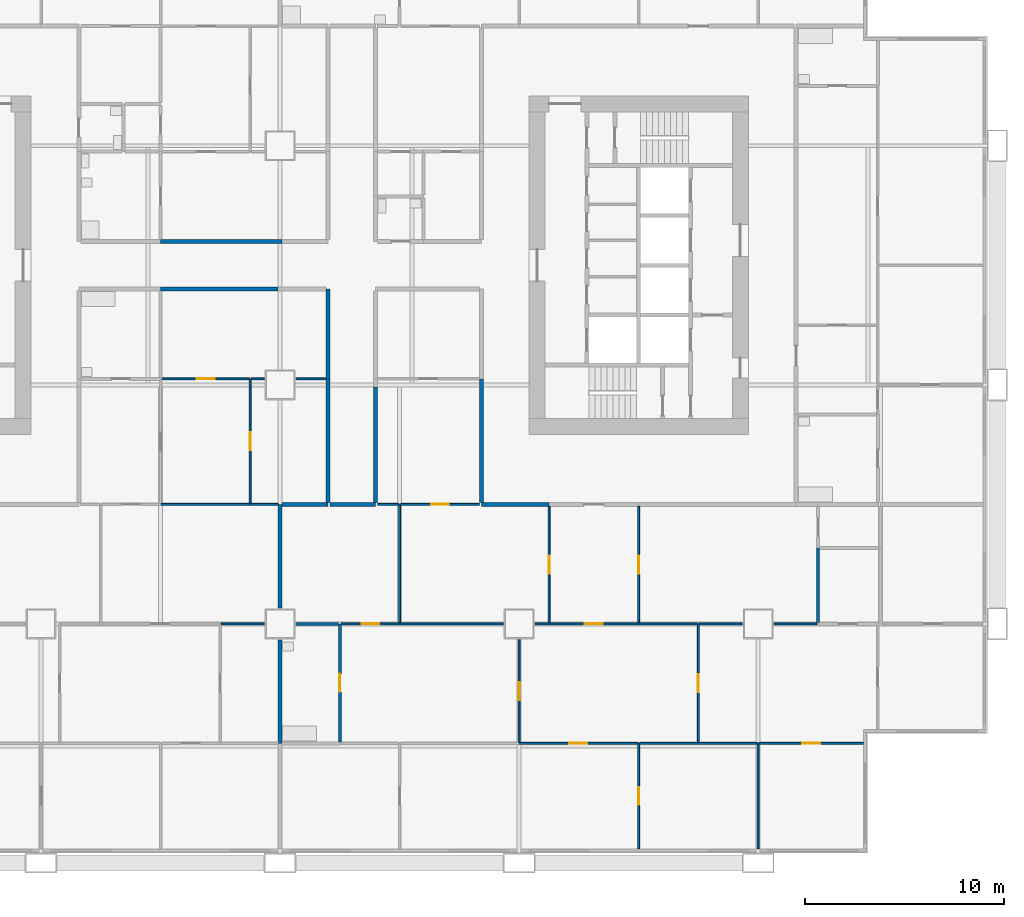
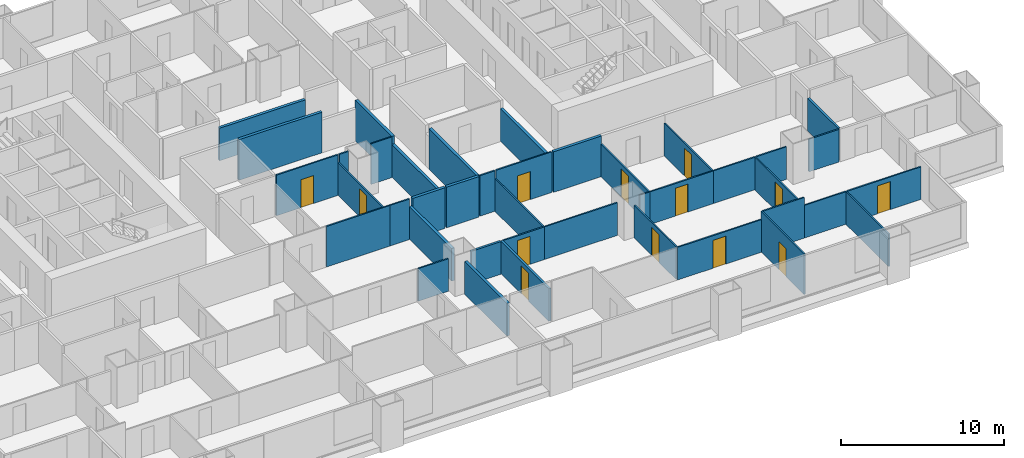
# One storey, part 5 of 13: 41 walls, 13 doors, 13 openings.
"""IFC4 building model written with IfcOpenShell, lengths in metres."""

import ifcopenshell
import ifcopenshell.guid

model = None  # the IFC model being written
_history = None  # IfcOwnerHistory: only IFC2X3 demands one
_inside = {}  # id of a spatial element -> (the spatial element, [elements in it])
_under = {}  # id of a project, library or spatial element -> (it, [spatial elements below it])
_declared = {}  # id of a project -> (the project, [libraries it declares])
_typed = {}  # id of a type object -> (the type object, [elements of that type])
_made_of = {}  # id of a material, layer set ... -> (it, [elements and type objects made of it])


def new_model(schema):
    """Start an empty IFC model of exactly this schema.

    Asked for "IFC4X3", IfcOpenShell would pick the latest addendum, in which some entities
    have other attributes; the version numbers below select the first issue.
    IFC2X3 requires an IfcOwnerHistory on every rooted entity: one is made here for all.
    """
    global model, _history
    if schema == "IFC4X3":
        model = ifcopenshell.file(schema_version=(4, 3, 0, 0))
    else:
        model = ifcopenshell.file(schema=schema)
    _inside.clear()
    _under.clear()
    _declared.clear()
    _typed.clear()
    _made_of.clear()
    _history = None
    if model.schema == "IFC2X3":
        org = make("IfcOrganization", Name="unknown")
        user = make(
            "IfcPersonAndOrganization",
            ThePerson=make("IfcPerson", FamilyName="unknown"),
            TheOrganization=org,
        )
        app = make(
            "IfcApplication",
            ApplicationDeveloper=org,
            Version="unknown",
            ApplicationFullName="unknown",
            ApplicationIdentifier="unknown",
        )
        _history = make(
            "IfcOwnerHistory",
            OwningUser=user,
            OwningApplication=app,
            ChangeAction="ADDED",
            CreationDate=0,
        )
    return model


def make(cls, **values):
    """One entity of the class cls with the attributes given. An attribute that is None is left unset."""
    return model.create_entity(
        cls, **{name: value for name, value in values.items() if value is not None}
    )


def rooted(cls, **values):
    """An entity with a GlobalId (a new one), such as an element, a storey or a relation."""
    return make(cls, GlobalId=ifcopenshell.guid.new(), OwnerHistory=_history, **values)


def si_unit(unit_type, name, prefix=None):
    """IfcSIUnit, for example si_unit("LENGTHUNIT", "METRE", prefix="MILLI")."""
    return make("IfcSIUnit", UnitType=unit_type, Prefix=prefix, Name=name)


def assignment(units):
    """IfcUnitAssignment: the units of a project."""
    return None if units is None else make("IfcUnitAssignment", Units=units)


def point(xyz):
    """IfcCartesianPoint."""
    return None if xyz is None else make("IfcCartesianPoint", Coordinates=xyz)


def direction(xyz):
    """IfcDirection."""
    return None if xyz is None else make("IfcDirection", DirectionRatios=xyz)


def frame(location, z_axis=None, x_axis=None):
    """IfcAxis2Placement3D, a coordinate frame: its origin and axes. An axis left out is left unset."""
    return make(
        "IfcAxis2Placement3D",
        Location=point(location),
        Axis=direction(z_axis),
        RefDirection=direction(x_axis),
    )


def frame_2d(location, x_axis=None):
    """IfcAxis2Placement2D, a coordinate frame in the plane: its origin and x axis."""
    return make(
        "IfcAxis2Placement2D", Location=point(location), RefDirection=direction(x_axis)
    )


def origin():
    """The frame at (0, 0, 0) with its axes left unset."""
    return frame((0.0, 0.0, 0.0))


def place(relative_to, where):
    """IfcLocalPlacement: puts the frame where relative to a parent placement (None: the world)."""
    return make(
        "IfcLocalPlacement", PlacementRelTo=relative_to, RelativePlacement=where
    )


def context(
    kind, dimensions, precision=None, world=None, true_north=None, identifier=None
):
    """IfcGeometricRepresentationContext, for example the 3D "Model" context."""
    return make(
        "IfcGeometricRepresentationContext",
        ContextIdentifier=identifier,
        ContextType=kind,
        CoordinateSpaceDimension=dimensions,
        Precision=precision,
        WorldCoordinateSystem=world,
        TrueNorth=true_north,
    )


def subcontext(parent, identifier, kind, view, scale=None):
    """IfcGeometricRepresentationSubContext, for example "Body" below "Model"."""
    return make(
        "IfcGeometricRepresentationSubContext",
        ContextIdentifier=identifier,
        ContextType=kind,
        ParentContext=parent,
        TargetScale=scale,
        TargetView=view,
    )


def project(units=None, contexts=None):
    """IfcProject with its units and contexts."""
    return rooted(
        "IfcProject",
        Name="project",
        RepresentationContexts=contexts,
        UnitsInContext=assignment(units),
    )


def spatial(cls, under=None, at=None, **own):
    """A site, building, storey or space (cls), placed at a placement, below another one or the project."""
    s = rooted(cls, ObjectPlacement=at, **own)
    if under is not None:
        _under.setdefault(under.id(), (under, []))[1].append(s)
    return s


def profile(cls, at=None, kind="AREA", **sizes):
    """A parametric profile (cls). Its sizes go by their IFC names, for example OverallWidth=200.0."""
    return make(cls, ProfileType=kind, Position=at, **sizes)


def rectangle(**sizes):
    """IfcRectangleProfileDef."""
    return profile("IfcRectangleProfileDef", **sizes)


def extrude(swept, where, along, depth):
    """IfcExtrudedAreaSolid: the profile swept, set in the frame where, extruded along a direction by depth."""
    return make(
        "IfcExtrudedAreaSolid",
        SweptArea=swept,
        Position=where,
        ExtrudedDirection=direction(along),
        Depth=depth,
    )


def shape(context_of_items, identifier, shape_type, items):
    """IfcShapeRepresentation: the items that make up one representation, for example the "Body"."""
    return make(
        "IfcShapeRepresentation",
        ContextOfItems=context_of_items,
        RepresentationIdentifier=identifier,
        RepresentationType=shape_type,
        Items=items,
    )


def material(Name=None, Category=None):
    """IfcMaterial."""
    return make("IfcMaterial", Name=Name, Category=Category)


def layer(
    of_material, thickness, ventilated=None, Name=None, Category=None, Priority=None
):
    """IfcMaterialLayer: one layer of a wall or slab, of a material (None: an air gap)."""
    return make(
        "IfcMaterialLayer",
        Material=of_material,
        LayerThickness=thickness,
        IsVentilated=ventilated,
        Name=Name,
        Category=Category,
        Priority=Priority,
    )


def layer_set(layers, Name=None):
    """IfcMaterialLayerSet."""
    return make("IfcMaterialLayerSet", MaterialLayers=layers, LayerSetName=Name)


def made_of(thing, what):
    """Note that an element or type object is made of a material, layer set ...; save() writes the relation."""
    if what is not None:
        _made_of.setdefault(what.id(), (what, []))[1].append(thing)
    return thing


def type_object(cls, material=None, **own):
    """A type object (cls), such as IfcWallType, which elements share."""
    return made_of(rooted(cls, **own), material)


def element(
    cls,
    number,
    at=None,
    inside=None,
    cuts=None,
    type_object=None,
    material=None,
    context=None,
    identifier="Body",
    shape_type=None,
    held_by="IfcProductDefinitionShape",
    body=None,
    shapes=None,
    **own,
):
    """One element of the class cls, such as IfcWall. Its Tag is "e" and its number.

    at: its placement. inside: the storey or other place that contains it. cuts: it is an
    opening in that element (IfcRelVoidsElement). A single representation is given by context,
    identifier, shape_type and body (its items); several are given by shapes. held_by: the class
    of the entity that holds the representations. save() writes the other relations.
    """
    e = rooted(cls, Tag="e%d" % number, ObjectPlacement=at, **own)
    if body is not None:
        shapes = [shape(context, identifier, shape_type, body)]
    if shapes is not None:
        e.Representation = make(held_by, Representations=shapes)
    if inside is not None:
        _inside.setdefault(inside.id(), (inside, []))[1].append(e)
    if cuts is not None:
        rooted(
            "IfcRelVoidsElement", RelatingBuildingElement=cuts, RelatedOpeningElement=e
        )
    if type_object is not None:
        _typed.setdefault(type_object.id(), (type_object, []))[1].append(e)
    return made_of(e, material)


def fill(opening, filler):
    """IfcRelFillsElement: the door or window that sits in an opening."""
    return rooted(
        "IfcRelFillsElement",
        RelatingOpeningElement=opening,
        RelatedBuildingElement=filler,
    )


def aggregate(whole, parts):
    """IfcRelAggregates: a whole, such as a stair, and the parts it consists of."""
    return rooted("IfcRelAggregates", RelatingObject=whole, RelatedObjects=parts)


def save(model, path):
    """Write the relations noted so far, then the file.

    IfcRelAggregates (storeys below a building ...), IfcRelContainedInSpatialStructure (elements
    in a storey), IfcRelDefinesByType, IfcRelAssociatesMaterial and IfcRelDeclares: one each for
    every whole, place, type object, material and project.
    """
    for whole, parts in _under.values():
        aggregate(whole, parts)
    for where, things in _inside.values():
        rooted(
            "IfcRelContainedInSpatialStructure",
            RelatedElements=things,
            RelatingStructure=where,
        )
    for kind, things in _typed.values():
        rooted("IfcRelDefinesByType", RelatedObjects=things, RelatingType=kind)
    for what, things in _made_of.values():
        rooted("IfcRelAssociatesMaterial", RelatedObjects=things, RelatingMaterial=what)
    for by, libraries in _declared.values():
        rooted("IfcRelDeclares", RelatingContext=by, RelatedDefinitions=libraries)
    model.write(path)


model = new_model("IFC4")

# Units and contexts
model_context = context("Model", 3, precision=1e-05, world=origin(), true_north=direction((0.0, 1.0)))
body_context = subcontext(model_context, "Body", "Model", "MODEL_VIEW")
ifc_project = project(units=[si_unit("LENGTHUNIT", "METRE"), si_unit("AREAUNIT", "SQUARE_METRE"), si_unit("VOLUMEUNIT", "CUBIC_METRE"), si_unit("PLANEANGLEUNIT", "RADIAN"), si_unit("MASSUNIT", "GRAM", prefix="KILO")], contexts=[model_context])

# Site, building, storey
site_placement = place(None, origin())
site = spatial("IfcSite", under=ifc_project, at=site_placement, CompositionType="ELEMENT")
building_placement = place(site_placement, origin())
building = spatial("IfcBuilding", under=site, at=building_placement, Name="Kitamizu Gate Tower and Museum", CompositionType="ELEMENT")
storey_placement = place(building_placement, frame((0.0, 0.0, 81.75)))
storey = spatial("IfcBuildingStorey", under=building, at=storey_placement, Name="L20", CompositionType="ELEMENT", Elevation=81.75)

# Walls
ifc_material_1 = material(Name="Gypsum board on galvanised stud")
ifc_layer_1 = layer(ifc_material_1, 0.10009765625)
ifc_layer_set_1 = layer_set([ifc_layer_1], Name="Gypsum board on galvanised stud")
wall_type_1 = type_object("IfcWallType", Name="Partition 100 NOT RATED", PredefinedType="PARTITIONING", material=ifc_layer_set_1)
wall_1_placement = place(storey_placement, frame((35.199951171875, 12.0, 0.0), z_axis=(0.0, 0.0, 1.0), x_axis=(-1.0, 0.0, 0.0)))
element("IfcWall", 1, at=wall_1_placement, inside=storey, type_object=wall_type_1, Name="Partition L20-026", PredefinedType="PARTITIONING", context=body_context, shape_type="SweptSolid", body=[
    extrude(rectangle(XDim=2.14990234375, YDim=0.10009765625, at=frame_2d((1.074951171875, 0.0))), origin(), (0.0, 0.0, 1.0), 2.449951171875),
])
wall_2_placement = place(storey_placement, frame((34.5, 18.0, 0.0), z_axis=(0.0, 0.0, 1.0), x_axis=(-1.0, 0.0, 0.0)))
element("IfcWall", 2, at=wall_2_placement, inside=storey, type_object=wall_type_1, Name="Partition L20-044", PredefinedType="PARTITIONING", context=body_context, shape_type="SweptSolid", body=[
    extrude(rectangle(XDim=4.5, YDim=0.10009765625, at=frame_2d((2.25, 0.0))), origin(), (0.0, 0.0, 1.0), 3.050048828125),
])
wall_3_placement = place(storey_placement, frame((35.89990234375, 18.0, 0.0), z_axis=(0.0, 0.0, 1.0), x_axis=(-1.0, 0.0, 0.0)))
element("IfcWall", 3, at=wall_3_placement, inside=storey, type_object=wall_type_1, Name="Partition L20-045", PredefinedType="PARTITIONING", context=body_context, shape_type="SweptSolid", body=[
    extrude(rectangle(XDim=1.39990234375, YDim=0.10009765625, at=frame_2d((0.699951171875, 0.0))), origin(), (0.0, 0.0, 1.0), 3.050048828125),
])

# Wall, opening, door
wall_4_placement = place(storey_placement, frame((34.5, 18.050048828125, 0.0), z_axis=(0.0, 0.0, 1.0), x_axis=(0.0, 1.0, 0.0)))
wall_4 = element("IfcWall", 4, at=wall_4_placement, inside=storey, type_object=wall_type_1, Name="Partition L20-051", PredefinedType="PARTITIONING", context=body_context, shape_type="SweptSolid", body=[
    extrude(rectangle(XDim=6.25, YDim=0.10009765625, at=frame_2d((3.125, 0.0))), origin(), (0.0, 0.0, 1.0), 2.449951171875),
])
opening_1_placement = place(wall_4_placement, frame((2.675048828125, 0.0, 0.0)))
opening_1 = element("IfcOpeningElement", 5, at=opening_1_placement, cuts=wall_4, Name="Opening L20-018", PredefinedType="OPENING", context=body_context, shape_type="SweptSolid", body=[
    extrude(rectangle(XDim=0.89990234375, YDim=2.10009765625, at=frame_2d((0.449951171875, 1.050048828125))), frame((0.0, 0.06005859375, 0.0), z_axis=(0.0, -1.0, 0.0), x_axis=(1.0, 0.0, 0.0)), (0.0, 0.0, 1.0), 0.1201171875),
])
ifc_material_2 = material(Name="Timber door set", Category="wood")
door_type_1 = type_object("IfcDoorType", Name="Room door 900", OperationType="NOTDEFINED", PredefinedType="DOOR", material=ifc_material_2)
door_1_placement = place(opening_1_placement, frame((0.89990234375, 0.0, 0.0), x_axis=(-1.0, 0.0, 0.0)))
door_1 = element("IfcDoor", 6, at=door_1_placement, inside=storey, type_object=door_type_1, Name="Door L20-018", OperationType="SINGLE_SWING_LEFT", OverallHeight=2.10009765625, OverallWidth=0.89990234375, PredefinedType="DOOR", context=body_context, shape_type="SweptSolid", body=[
    extrude(rectangle(XDim=0.89990234375, YDim=2.10009765625, at=frame_2d((0.449951171875, 1.050048828125))), frame((0.0, 0.02490234375, 0.0), z_axis=(0.0, -1.0, 0.0), x_axis=(1.0, 0.0, 0.0)), (0.0, 0.0, 1.0), 0.050048828125),
])
fill(opening_1, door_1)

wall_5_placement = place(storey_placement, frame((34.449951171875, 24.300048828125, 0.0), z_axis=(0.0, 0.0, 1.0), x_axis=(-1.0, 0.0, 0.0)))
wall_5 = element("IfcWall", 7, at=wall_5_placement, inside=storey, type_object=wall_type_1, Name="Partition L20-052", PredefinedType="PARTITIONING", context=body_context, shape_type="SweptSolid", body=[
    extrude(rectangle(XDim=4.375, YDim=0.10009765625, at=frame_2d((2.1875, 0.0))), origin(), (0.0, 0.0, 1.0), 3.050048828125),
])
opening_2_placement = place(wall_5_placement, frame((1.737548828125, 0.0, 0.0)))
opening_2 = element("IfcOpeningElement", 8, at=opening_2_placement, cuts=wall_5, Name="Opening L20-020", PredefinedType="OPENING", context=body_context, shape_type="SweptSolid", body=[
    extrude(rectangle(XDim=0.89990234375, YDim=2.10009765625, at=frame_2d((0.449951171875, 1.050048828125))), frame((0.0, 0.06005859375, 0.0), z_axis=(0.0, -1.0, 0.0), x_axis=(1.0, 0.0, 0.0)), (0.0, 0.0, 1.0), 0.1201171875),
])
door_2_placement = place(opening_2_placement, origin())
door_2 = element("IfcDoor", 9, at=door_2_placement, inside=storey, type_object=door_type_1, Name="Door L20-020", OperationType="SINGLE_SWING_RIGHT", OverallHeight=2.10009765625, OverallWidth=0.89990234375, PredefinedType="DOOR", context=body_context, shape_type="SweptSolid", body=[
    extrude(rectangle(XDim=0.89990234375, YDim=2.10009765625, at=frame_2d((0.449951171875, 1.050048828125))), frame((0.0, 0.02490234375, 0.0), z_axis=(0.0, -1.0, 0.0), x_axis=(1.0, 0.0, 0.0)), (0.0, 0.0, 1.0), 0.050048828125),
])
fill(opening_2, door_2)

# Walls
wall_6_placement = place(storey_placement, frame((35.199951171875, 24.300048828125, 0.0), z_axis=(0.0, 0.0, 1.0), x_axis=(-1.0, 0.0, 0.0)))
element("IfcWall", 10, at=wall_6_placement, inside=storey, type_object=wall_type_1, Name="Partition L20-053", PredefinedType="PARTITIONING", context=body_context, shape_type="SweptSolid", body=[
    extrude(rectangle(XDim=0.64990234375, YDim=0.10009765625, at=frame_2d((0.324951171875, 0.0))), origin(), (0.0, 0.0, 1.0), 3.050048828125),
])
wall_7_placement = place(storey_placement, frame((38.300048828125, 24.300048828125, 0.0), z_axis=(0.0, 0.0, 1.0), x_axis=(-1.0, 0.0, 0.0)))
element("IfcWall", 11, at=wall_7_placement, inside=storey, type_object=wall_type_1, Name="Partition L20-054", PredefinedType="PARTITIONING", context=body_context, shape_type="SweptSolid", body=[
    extrude(rectangle(XDim=1.5, YDim=0.10009765625, at=frame_2d((0.75, 0.0))), origin(), (0.0, 0.0, 1.0), 3.050048828125),
])

# Wall, opening, door
wall_8_placement = place(storey_placement, frame((54.0, 0.719970703125, 0.0), z_axis=(0.0, 0.0, 1.0), x_axis=(0.0, 1.0, 0.0)))
wall_8 = element("IfcWall", 12, at=wall_8_placement, inside=storey, type_object=wall_type_1, Name="Partition L20-124", PredefinedType="PARTITIONING", context=body_context, shape_type="SweptSolid", body=[
    extrude(rectangle(XDim=5.280029296875, YDim=0.10009765625, at=frame_2d((2.64013671875, 0.0))), origin(), (0.0, 0.0, 1.0), 3.050048828125),
])
opening_3_placement = place(wall_8_placement, frame((2.18994140625, 0.0, 0.0)))
opening_3 = element("IfcOpeningElement", 13, at=opening_3_placement, cuts=wall_8, Name="Opening L20-049", PredefinedType="OPENING", context=body_context, shape_type="SweptSolid", body=[
    extrude(rectangle(XDim=0.89990234375, YDim=2.10009765625, at=frame_2d((0.449951171875, 1.050048828125))), frame((0.0, 0.06005859375, 0.0), z_axis=(0.0, -1.0, 0.0), x_axis=(1.0, 0.0, 0.0)), (0.0, 0.0, 1.0), 0.1201171875),
])
door_3_placement = place(opening_3_placement, frame((0.89990234375, 0.0, 0.0), x_axis=(-1.0, 0.0, 0.0)))
door_3 = element("IfcDoor", 14, at=door_3_placement, inside=storey, type_object=door_type_1, Name="Door L20-049", OperationType="SINGLE_SWING_LEFT", OverallHeight=2.10009765625, OverallWidth=0.89990234375, PredefinedType="DOOR", context=body_context, shape_type="SweptSolid", body=[
    extrude(rectangle(XDim=0.89990234375, YDim=2.10009765625, at=frame_2d((0.449951171875, 1.050048828125))), frame((0.0, 0.02490234375, 0.0), z_axis=(0.0, -1.0, 0.0), x_axis=(1.0, 0.0, 0.0)), (0.0, 0.0, 1.0), 0.050048828125),
])
fill(opening_3, door_3)

wall_9_placement = place(storey_placement, frame((53.949951171875, 6.0, 0.0), z_axis=(0.0, 0.0, 1.0), x_axis=(-1.0, 0.0, 0.0)))
wall_9 = element("IfcWall", 15, at=wall_9_placement, inside=storey, type_object=wall_type_1, Name="Partition L20-126", PredefinedType="PARTITIONING", context=body_context, shape_type="SweptSolid", body=[
    extrude(rectangle(XDim=5.949951171875, YDim=0.10009765625, at=frame_2d((2.97509765625, 0.0))), origin(), (0.0, 0.0, 1.0), 2.449951171875),
])
opening_4_placement = place(wall_9_placement, frame((2.52490234375, 0.0, 0.0)))
opening_4 = element("IfcOpeningElement", 16, at=opening_4_placement, cuts=wall_9, Name="Opening L20-043", PredefinedType="OPENING", context=body_context, shape_type="SweptSolid", body=[
    extrude(rectangle(XDim=0.89990234375, YDim=2.10009765625, at=frame_2d((0.449951171875, 1.050048828125))), frame((0.0, 0.06005859375, 0.0), z_axis=(0.0, -1.0, 0.0), x_axis=(1.0, 0.0, 0.0)), (0.0, 0.0, 1.0), 0.1201171875),
])
door_4_placement = place(opening_4_placement, frame((0.89990234375, 0.0, 0.0), x_axis=(-1.0, 0.0, 0.0)))
door_4 = element("IfcDoor", 17, at=door_4_placement, inside=storey, type_object=door_type_1, Name="Door L20-043", OperationType="SINGLE_SWING_LEFT", OverallHeight=2.10009765625, OverallWidth=0.89990234375, PredefinedType="DOOR", context=body_context, shape_type="SweptSolid", body=[
    extrude(rectangle(XDim=0.89990234375, YDim=2.10009765625, at=frame_2d((0.449951171875, 1.050048828125))), frame((0.0, 0.02490234375, 0.0), z_axis=(0.0, -1.0, 0.0), x_axis=(1.0, 0.0, 0.0)), (0.0, 0.0, 1.0), 0.050048828125),
])
fill(opening_4, door_4)

# Walls
wall_10_placement = place(storey_placement, frame((60.0, 0.719970703125, 0.0), z_axis=(0.0, 0.0, 1.0), x_axis=(0.0, 1.0, 0.0)))
element("IfcWall", 18, at=wall_10_placement, inside=storey, type_object=wall_type_1, Name="Partition L20-127", PredefinedType="PARTITIONING", context=body_context, shape_type="SweptSolid", body=[
    extrude(rectangle(XDim=5.280029296875, YDim=0.10009765625, at=frame_2d((2.64013671875, 0.0))), origin(), (0.0, 0.0, 1.0), 2.449951171875),
])
wall_11_placement = place(storey_placement, frame((57.0, 6.0, 0.0), z_axis=(0.0, 0.0, 1.0), x_axis=(-1.0, 0.0, 0.0)))
element("IfcWall", 19, at=wall_11_placement, inside=storey, type_object=wall_type_1, Name="Partition L20-128", PredefinedType="PARTITIONING", context=body_context, shape_type="SweptSolid", body=[
    extrude(rectangle(XDim=2.949951171875, YDim=0.10009765625, at=frame_2d((1.47509765625, 0.0))), origin(), (0.0, 0.0, 1.0), 3.050048828125),
])
wall_12_placement = place(storey_placement, frame((59.949951171875, 6.0, 0.0), z_axis=(0.0, 0.0, 1.0), x_axis=(-1.0, 0.0, 0.0)))
element("IfcWall", 20, at=wall_12_placement, inside=storey, type_object=wall_type_1, Name="Partition L20-129", PredefinedType="PARTITIONING", context=body_context, shape_type="SweptSolid", body=[
    extrude(rectangle(XDim=2.949951171875, YDim=0.10009765625, at=frame_2d((1.47509765625, 0.0))), origin(), (0.0, 0.0, 1.0), 2.449951171875),
])

# Wall, opening, door
wall_13_placement = place(storey_placement, frame((65.280029296875, 6.0, 0.0), z_axis=(0.0, 0.0, 1.0), x_axis=(-1.0, 0.0, 0.0)))
wall_13 = element("IfcWall", 21, at=wall_13_placement, inside=storey, type_object=wall_type_1, Name="Partition L20-130", PredefinedType="PARTITIONING", context=body_context, shape_type="SweptSolid", body=[
    extrude(rectangle(XDim=5.22998046875, YDim=0.10009765625, at=frame_2d((2.614990234375, 0.0))), origin(), (0.0, 0.0, 1.0), 2.449951171875),
])
opening_5_placement = place(wall_13_placement, frame((2.1650390625, 0.0, 0.0)))
opening_5 = element("IfcOpeningElement", 22, at=opening_5_placement, cuts=wall_13, Name="Opening L20-046", PredefinedType="OPENING", context=body_context, shape_type="SweptSolid", body=[
    extrude(rectangle(XDim=0.89990234375, YDim=2.10009765625, at=frame_2d((0.449951171875, 1.050048828125))), frame((0.0, 0.06005859375, 0.0), z_axis=(0.0, -1.0, 0.0), x_axis=(1.0, 0.0, 0.0)), (0.0, 0.0, 1.0), 0.1201171875),
])
door_5_placement = place(opening_5_placement, origin())
door_5 = element("IfcDoor", 23, at=door_5_placement, inside=storey, type_object=door_type_1, Name="Door L20-046", OperationType="SINGLE_SWING_LEFT", OverallHeight=2.10009765625, OverallWidth=0.89990234375, PredefinedType="DOOR", context=body_context, shape_type="SweptSolid", body=[
    extrude(rectangle(XDim=0.89990234375, YDim=2.10009765625, at=frame_2d((0.449951171875, 1.050048828125))), frame((0.0, 0.02490234375, 0.0), z_axis=(0.0, -1.0, 0.0), x_axis=(1.0, 0.0, 0.0)), (0.0, 0.0, 1.0), 0.050048828125),
])
fill(opening_5, door_5)

wall_14_placement = place(storey_placement, frame((48.0, 6.050048828125, 0.0), z_axis=(0.0, 0.0, 1.0), x_axis=(0.0, 1.0, 0.0)))
wall_14 = element("IfcWall", 24, at=wall_14_placement, inside=storey, type_object=wall_type_1, Name="Partition L20-133", PredefinedType="PARTITIONING", context=body_context, shape_type="SweptSolid", body=[
    extrude(rectangle(XDim=5.14990234375, YDim=0.10009765625, at=frame_2d((2.574951171875, 0.0))), origin(), (0.0, 0.0, 1.0), 2.449951171875),
])
opening_6_placement = place(wall_14_placement, frame((2.125, 0.0, 0.0)))
opening_6 = element("IfcOpeningElement", 25, at=opening_6_placement, cuts=wall_14, Name="Opening L20-044", PredefinedType="OPENING", context=body_context, shape_type="SweptSolid", body=[
    extrude(rectangle(XDim=0.89990234375, YDim=2.10009765625, at=frame_2d((0.449951171875, 1.050048828125))), frame((0.0, 0.06005859375, 0.0), z_axis=(0.0, -1.0, 0.0), x_axis=(1.0, 0.0, 0.0)), (0.0, 0.0, 1.0), 0.1201171875),
])
door_6_placement = place(opening_6_placement, frame((0.89990234375, 0.0, 0.0), x_axis=(-1.0, 0.0, 0.0)))
door_6 = element("IfcDoor", 26, at=door_6_placement, inside=storey, type_object=door_type_1, Name="Door L20-044", OperationType="SINGLE_SWING_RIGHT", OverallHeight=2.10009765625, OverallWidth=0.89990234375, PredefinedType="DOOR", context=body_context, shape_type="SweptSolid", body=[
    extrude(rectangle(XDim=0.89990234375, YDim=2.10009765625, at=frame_2d((0.449951171875, 1.050048828125))), frame((0.0, 0.02490234375, 0.0), z_axis=(0.0, -1.0, 0.0), x_axis=(1.0, 0.0, 0.0)), (0.0, 0.0, 1.0), 0.050048828125),
])
fill(opening_6, door_6)

wall_15_placement = place(storey_placement, frame((42.0, 12.0, 0.0), z_axis=(0.0, 0.0, 1.0), x_axis=(-1.0, 0.0, 0.0)))
wall_15 = element("IfcWall", 27, at=wall_15_placement, inside=storey, type_object=wall_type_1, Name="Partition L20-134", PredefinedType="PARTITIONING", context=body_context, shape_type="SweptSolid", body=[
    extrude(rectangle(XDim=2.925048828125, YDim=0.10009765625, at=frame_2d((1.46240234375, 0.0))), origin(), (0.0, 0.0, 1.0), 2.449951171875),
])
opening_7_placement = place(wall_15_placement, frame((1.012451171875, 0.0, 0.0)))
opening_7 = element("IfcOpeningElement", 28, at=opening_7_placement, cuts=wall_15, Name="Opening L20-051", PredefinedType="OPENING", context=body_context, shape_type="SweptSolid", body=[
    extrude(rectangle(XDim=0.89990234375, YDim=2.10009765625, at=frame_2d((0.449951171875, 1.050048828125))), frame((0.0, 0.06005859375, 0.0), z_axis=(0.0, -1.0, 0.0), x_axis=(1.0, 0.0, 0.0)), (0.0, 0.0, 1.0), 0.1201171875),
])
door_7_placement = place(opening_7_placement, frame((0.89990234375, 0.0, 0.0), x_axis=(-1.0, 0.0, 0.0)))
door_7 = element("IfcDoor", 29, at=door_7_placement, inside=storey, type_object=door_type_1, Name="Door L20-051", OperationType="SINGLE_SWING_LEFT", OverallHeight=2.10009765625, OverallWidth=0.89990234375, PredefinedType="DOOR", context=body_context, shape_type="SweptSolid", body=[
    extrude(rectangle(XDim=0.89990234375, YDim=2.10009765625, at=frame_2d((0.449951171875, 1.050048828125))), frame((0.0, 0.02490234375, 0.0), z_axis=(0.0, -1.0, 0.0), x_axis=(1.0, 0.0, 0.0)), (0.0, 0.0, 1.0), 0.050048828125),
])
fill(opening_7, door_7)

# Wall
wall_16_placement = place(storey_placement, frame((47.199951171875, 12.0, 0.0), z_axis=(0.0, 0.0, 1.0), x_axis=(-1.0, 0.0, 0.0)))
element("IfcWall", 30, at=wall_16_placement, inside=storey, type_object=wall_type_1, Name="Partition L20-135", PredefinedType="PARTITIONING", context=body_context, shape_type="SweptSolid", body=[
    extrude(rectangle(XDim=5.199951171875, YDim=0.10009765625, at=frame_2d((2.60009765625, 0.0))), origin(), (0.0, 0.0, 1.0), 2.449951171875),
])

# Wall, opening, door
wall_17_placement = place(storey_placement, frame((57.0, 6.050048828125, 0.0), z_axis=(0.0, 0.0, 1.0), x_axis=(0.0, 1.0, 0.0)))
wall_17 = element("IfcWall", 31, at=wall_17_placement, inside=storey, type_object=wall_type_1, Name="Partition L20-136", PredefinedType="PARTITIONING", context=body_context, shape_type="SweptSolid", body=[
    extrude(rectangle(XDim=5.949951171875, YDim=0.10009765625, at=frame_2d((2.97509765625, 0.0))), origin(), (0.0, 0.0, 1.0), 2.449951171875),
])
opening_8_placement = place(wall_17_placement, frame((2.52490234375, 0.0, 0.0)))
opening_8 = element("IfcOpeningElement", 32, at=opening_8_placement, cuts=wall_17, Name="Opening L20-045", PredefinedType="OPENING", context=body_context, shape_type="SweptSolid", body=[
    extrude(rectangle(XDim=0.89990234375, YDim=2.10009765625, at=frame_2d((0.449951171875, 1.050048828125))), frame((0.0, 0.06005859375, 0.0), z_axis=(0.0, -1.0, 0.0), x_axis=(1.0, 0.0, 0.0)), (0.0, 0.0, 1.0), 0.1201171875),
])
door_8_placement = place(opening_8_placement, frame((0.89990234375, 0.0, 0.0), x_axis=(-1.0, 0.0, 0.0)))
door_8 = element("IfcDoor", 33, at=door_8_placement, inside=storey, type_object=door_type_1, Name="Door L20-045", OperationType="SINGLE_SWING_LEFT", OverallHeight=2.10009765625, OverallWidth=0.89990234375, PredefinedType="DOOR", context=body_context, shape_type="SweptSolid", body=[
    extrude(rectangle(XDim=0.89990234375, YDim=2.10009765625, at=frame_2d((0.449951171875, 1.050048828125))), frame((0.0, 0.02490234375, 0.0), z_axis=(0.0, -1.0, 0.0), x_axis=(1.0, 0.0, 0.0)), (0.0, 0.0, 1.0), 0.050048828125),
])
fill(opening_8, door_8)

# Wall
wall_18_placement = place(storey_placement, frame((49.5, 12.0, 0.0), z_axis=(0.0, 0.0, 1.0), x_axis=(-1.0, 0.0, 0.0)))
element("IfcWall", 34, at=wall_18_placement, inside=storey, type_object=wall_type_1, Name="Partition L20-137", PredefinedType="PARTITIONING", context=body_context, shape_type="SweptSolid", body=[
    extrude(rectangle(XDim=0.699951171875, YDim=0.10009765625, at=frame_2d((0.35009765625, 0.0))), origin(), (0.0, 0.0, 1.0), 2.449951171875),
])

# Wall, opening, door
wall_19_placement = place(storey_placement, frame((54.0, 12.0, 0.0), z_axis=(0.0, 0.0, 1.0), x_axis=(-1.0, 0.0, 0.0)))
wall_19 = element("IfcWall", 35, at=wall_19_placement, inside=storey, type_object=wall_type_1, Name="Partition L20-138", PredefinedType="PARTITIONING", context=body_context, shape_type="SweptSolid", body=[
    extrude(rectangle(XDim=4.5, YDim=0.10009765625, at=frame_2d((2.25, 0.0))), origin(), (0.0, 0.0, 1.0), 2.449951171875),
])
opening_9_placement = place(wall_19_placement, frame((1.800048828125, 0.0, 0.0)))
opening_9 = element("IfcOpeningElement", 36, at=opening_9_placement, cuts=wall_19, Name="Opening L20-042", PredefinedType="OPENING", context=body_context, shape_type="SweptSolid", body=[
    extrude(rectangle(XDim=0.89990234375, YDim=2.10009765625, at=frame_2d((0.449951171875, 1.050048828125))), frame((0.0, 0.06005859375, 0.0), z_axis=(0.0, -1.0, 0.0), x_axis=(1.0, 0.0, 0.0)), (0.0, 0.0, 1.0), 0.1201171875),
])
door_9_placement = place(opening_9_placement, origin())
door_9 = element("IfcDoor", 37, at=door_9_placement, inside=storey, type_object=door_type_1, Name="Door L20-042", OperationType="SINGLE_SWING_LEFT", OverallHeight=2.10009765625, OverallWidth=0.89990234375, PredefinedType="DOOR", context=body_context, shape_type="SweptSolid", body=[
    extrude(rectangle(XDim=0.89990234375, YDim=2.10009765625, at=frame_2d((0.449951171875, 1.050048828125))), frame((0.0, 0.02490234375, 0.0), z_axis=(0.0, -1.0, 0.0), x_axis=(1.0, 0.0, 0.0)), (0.0, 0.0, 1.0), 0.050048828125),
])
fill(opening_9, door_9)

# Walls
wall_20_placement = place(storey_placement, frame((56.949951171875, 12.0, 0.0), z_axis=(0.0, 0.0, 1.0), x_axis=(-1.0, 0.0, 0.0)))
element("IfcWall", 38, at=wall_20_placement, inside=storey, type_object=wall_type_1, Name="Partition L20-139", PredefinedType="PARTITIONING", context=body_context, shape_type="SweptSolid", body=[
    extrude(rectangle(XDim=2.949951171875, YDim=0.10009765625, at=frame_2d((1.47509765625, 0.0))), origin(), (0.0, 0.0, 1.0), 2.449951171875),
])
wall_21_placement = place(storey_placement, frame((59.199951171875, 12.0, 0.0), z_axis=(0.0, 0.0, 1.0), x_axis=(-1.0, 0.0, 0.0)))
element("IfcWall", 39, at=wall_21_placement, inside=storey, type_object=wall_type_1, Name="Partition L20-141", PredefinedType="PARTITIONING", context=body_context, shape_type="SweptSolid", body=[
    extrude(rectangle(XDim=2.14990234375, YDim=0.10009765625, at=frame_2d((1.074951171875, 0.0))), origin(), (0.0, 0.0, 1.0), 2.449951171875),
])
wall_22_placement = place(storey_placement, frame((62.925048828125, 12.0, 0.0), z_axis=(0.0, 0.0, 1.0), x_axis=(-1.0, 0.0, 0.0)))
element("IfcWall", 40, at=wall_22_placement, inside=storey, type_object=wall_type_1, Name="Partition L20-142", PredefinedType="PARTITIONING", context=body_context, shape_type="SweptSolid", body=[
    extrude(rectangle(XDim=2.125, YDim=0.10009765625, at=frame_2d((1.0625, 0.0))), origin(), (0.0, 0.0, 1.0), 2.449951171875),
])
wall_23_placement = place(storey_placement, frame((42.0, 12.050048828125, 0.0), z_axis=(0.0, 0.0, 1.0), x_axis=(0.0, 1.0, 0.0)))
element("IfcWall", 41, at=wall_23_placement, inside=storey, type_object=wall_type_1, Name="Partition L20-145", PredefinedType="PARTITIONING", context=body_context, shape_type="SweptSolid", body=[
    extrude(rectangle(XDim=5.949951171875, YDim=0.10009765625, at=frame_2d((2.97509765625, 0.0))), origin(), (0.0, 0.0, 1.0), 2.449951171875),
])
wall_24_placement = place(storey_placement, frame((41.949951171875, 18.0, 0.0), z_axis=(0.0, 0.0, 1.0), x_axis=(-1.0, 0.0, 0.0)))
element("IfcWall", 42, at=wall_24_placement, inside=storey, type_object=wall_type_1, Name="Partition L20-146", PredefinedType="PARTITIONING", context=body_context, shape_type="SweptSolid", body=[
    extrude(rectangle(XDim=1.050048828125, YDim=0.10009765625, at=frame_2d((0.52490234375, 0.0))), origin(), (0.0, 0.0, 1.0), 3.050048828125),
])

# Wall, opening, door
wall_25_placement = place(storey_placement, frame((49.5, 12.050048828125, 0.0), z_axis=(0.0, 0.0, 1.0), x_axis=(0.0, 1.0, 0.0)))
wall_25 = element("IfcWall", 43, at=wall_25_placement, inside=storey, type_object=wall_type_1, Name="Partition L20-148", PredefinedType="PARTITIONING", context=body_context, shape_type="SweptSolid", body=[
    extrude(rectangle(XDim=5.849853515625, YDim=0.10009765625, at=frame_2d((2.9248046875, 0.0))), origin(), (0.0, 0.0, 1.0), 2.449951171875),
])
opening_10_placement = place(wall_25_placement, frame((2.47509765625, 0.0, 0.0)))
opening_10 = element("IfcOpeningElement", 44, at=opening_10_placement, cuts=wall_25, Name="Opening L20-052", PredefinedType="OPENING", context=body_context, shape_type="SweptSolid", body=[
    extrude(rectangle(XDim=0.89990234375, YDim=2.10009765625, at=frame_2d((0.449951171875, 1.050048828125))), frame((0.0, 0.06005859375, 0.0), z_axis=(0.0, -1.0, 0.0), x_axis=(1.0, 0.0, 0.0)), (0.0, 0.0, 1.0), 0.1201171875),
])
door_10_placement = place(opening_10_placement, origin())
door_10 = element("IfcDoor", 45, at=door_10_placement, inside=storey, type_object=door_type_1, Name="Door L20-052", OperationType="SINGLE_SWING_RIGHT", OverallHeight=2.10009765625, OverallWidth=0.89990234375, PredefinedType="DOOR", context=body_context, shape_type="SweptSolid", body=[
    extrude(rectangle(XDim=0.89990234375, YDim=2.10009765625, at=frame_2d((0.449951171875, 1.050048828125))), frame((0.0, 0.02490234375, 0.0), z_axis=(0.0, -1.0, 0.0), x_axis=(1.0, 0.0, 0.0)), (0.0, 0.0, 1.0), 0.050048828125),
])
fill(opening_10, door_10)

wall_26_placement = place(storey_placement, frame((46.0, 18.0, 0.0), z_axis=(0.0, 0.0, 1.0), x_axis=(-1.0, 0.0, 0.0)))
wall_26 = element("IfcWall", 46, at=wall_26_placement, inside=storey, type_object=wall_type_1, Name="Partition L20-149", PredefinedType="PARTITIONING", context=body_context, shape_type="SweptSolid", body=[
    extrude(rectangle(XDim=3.949951171875, YDim=0.10009765625, at=frame_2d((1.97509765625, 0.0))), origin(), (0.0, 0.0, 1.0), 3.050048828125),
])
opening_11_placement = place(wall_26_placement, frame((1.52490234375, 0.0, 0.0)))
opening_11 = element("IfcOpeningElement", 47, at=opening_11_placement, cuts=wall_26, Name="Opening L20-057", PredefinedType="OPENING", context=body_context, shape_type="SweptSolid", body=[
    extrude(rectangle(XDim=0.89990234375, YDim=2.10009765625, at=frame_2d((0.449951171875, 1.050048828125))), frame((0.0, 0.06005859375, 0.0), z_axis=(0.0, -1.0, 0.0), x_axis=(1.0, 0.0, 0.0)), (0.0, 0.0, 1.0), 0.1201171875),
])
door_11_placement = place(opening_11_placement, frame((0.89990234375, 0.0, 0.0), x_axis=(-1.0, 0.0, 0.0)))
door_11 = element("IfcDoor", 48, at=door_11_placement, inside=storey, type_object=door_type_1, Name="Door L20-057", OperationType="SINGLE_SWING_RIGHT", OverallHeight=2.10009765625, OverallWidth=0.89990234375, PredefinedType="DOOR", context=body_context, shape_type="SweptSolid", body=[
    extrude(rectangle(XDim=0.89990234375, YDim=2.10009765625, at=frame_2d((0.449951171875, 1.050048828125))), frame((0.0, 0.02490234375, 0.0), z_axis=(0.0, -1.0, 0.0), x_axis=(1.0, 0.0, 0.0)), (0.0, 0.0, 1.0), 0.050048828125),
])
fill(opening_11, door_11)

wall_27_placement = place(storey_placement, frame((54.0, 12.050048828125, 0.0), z_axis=(0.0, 0.0, 1.0), x_axis=(0.0, 1.0, 0.0)))
wall_27 = element("IfcWall", 49, at=wall_27_placement, inside=storey, type_object=wall_type_1, Name="Partition L20-151", PredefinedType="PARTITIONING", context=body_context, shape_type="SweptSolid", body=[
    extrude(rectangle(XDim=5.849853515625, YDim=0.10009765625, at=frame_2d((2.9248046875, 0.0))), origin(), (0.0, 0.0, 1.0), 2.449951171875),
])
opening_12_placement = place(wall_27_placement, frame((2.47509765625, 0.0, 0.0)))
opening_12 = element("IfcOpeningElement", 50, at=opening_12_placement, cuts=wall_27, Name="Opening L20-053", PredefinedType="OPENING", context=body_context, shape_type="SweptSolid", body=[
    extrude(rectangle(XDim=0.89990234375, YDim=2.10009765625, at=frame_2d((0.449951171875, 1.050048828125))), frame((0.0, 0.06005859375, 0.0), z_axis=(0.0, -1.0, 0.0), x_axis=(1.0, 0.0, 0.0)), (0.0, 0.0, 1.0), 0.1201171875),
])
door_12_placement = place(opening_12_placement, frame((0.89990234375, 0.0, 0.0), x_axis=(-1.0, 0.0, 0.0)))
door_12 = element("IfcDoor", 51, at=door_12_placement, inside=storey, type_object=door_type_1, Name="Door L20-053", OperationType="SINGLE_SWING_RIGHT", OverallHeight=2.10009765625, OverallWidth=0.89990234375, PredefinedType="DOOR", context=body_context, shape_type="SweptSolid", body=[
    extrude(rectangle(XDim=0.89990234375, YDim=2.10009765625, at=frame_2d((0.449951171875, 1.050048828125))), frame((0.0, 0.02490234375, 0.0), z_axis=(0.0, -1.0, 0.0), x_axis=(1.0, 0.0, 0.0)), (0.0, 0.0, 1.0), 0.050048828125),
])
fill(opening_12, door_12)

ifc_material_3 = material(Name="Gypsum board on galvanised stud")
ifc_layer_2 = layer(ifc_material_3, 0.14990234375)
ifc_layer_set_2 = layer_set([ifc_layer_2], Name="Gypsum board on galvanised stud")
wall_type_2 = type_object("IfcWallType", Name="Partition 150", PredefinedType="PARTITIONING", material=ifc_layer_set_2)
wall_28_placement = place(storey_placement, frame((39.0, 6.074951171875, 0.0), z_axis=(0.0, 0.0, 1.0), x_axis=(0.0, 1.0, 0.0)))
wall_28 = element("IfcWall", 52, at=wall_28_placement, inside=storey, type_object=wall_type_2, Name="Partition L20-131", PredefinedType="PARTITIONING", context=body_context, shape_type="SweptSolid", body=[
    extrude(rectangle(XDim=5.925048828125, YDim=0.14990234375, at=frame_2d((2.96240234375, 0.0))), origin(), (0.0, 0.0, 1.0), 2.449951171875),
])
opening_13_placement = place(wall_28_placement, frame((2.512451171875, 0.0, 0.0)))
opening_13 = element("IfcOpeningElement", 53, at=opening_13_placement, cuts=wall_28, Name="Opening L20-050", PredefinedType="OPENING", context=body_context, shape_type="SweptSolid", body=[
    extrude(rectangle(XDim=0.89990234375, YDim=2.10009765625, at=frame_2d((0.449951171875, 1.050048828125))), frame((0.0, 0.0849609375, 0.0), z_axis=(0.0, -1.0, 0.0), x_axis=(1.0, 0.0, 0.0)), (0.0, 0.0, 1.0), 0.169921875),
])
ifc_material_4 = material(Name="Timber door set", Category="wood")
door_type_2 = type_object("IfcDoorType", Name="Bathroom door 900", OperationType="NOTDEFINED", PredefinedType="DOOR", material=ifc_material_4)
door_13_placement = place(opening_13_placement, origin())
door_13 = element("IfcDoor", 54, at=door_13_placement, inside=storey, type_object=door_type_2, Name="Bathroom door L20-050", OperationType="SINGLE_SWING_LEFT", OverallHeight=2.10009765625, OverallWidth=0.89990234375, PredefinedType="DOOR", context=body_context, shape_type="SweptSolid", body=[
    extrude(rectangle(XDim=0.89990234375, YDim=2.10009765625, at=frame_2d((0.449951171875, 1.050048828125))), frame((0.0, 0.02490234375, 0.0), z_axis=(0.0, -1.0, 0.0), x_axis=(1.0, 0.0, 0.0)), (0.0, 0.0, 1.0), 0.050048828125),
])
fill(opening_13, door_13)

# Walls
wall_29_placement = place(storey_placement, frame((38.925048828125, 12.0, 0.0), z_axis=(0.0, 0.0, 1.0), x_axis=(-1.0, 0.0, 0.0)))
element("IfcWall", 55, at=wall_29_placement, inside=storey, type_object=wall_type_2, Name="Partition L20-132", PredefinedType="PARTITIONING", context=body_context, shape_type="SweptSolid", body=[
    extrude(rectangle(XDim=2.125, YDim=0.14990234375, at=frame_2d((1.0625, 0.0))), origin(), (0.0, 0.0, 1.0), 2.449951171875),
])
wall_30_placement = place(storey_placement, frame((63.0, 12.074951171875, 0.0), z_axis=(0.0, 0.0, 1.0), x_axis=(0.0, 1.0, 0.0)))
element("IfcWall", 56, at=wall_30_placement, inside=storey, type_object=wall_type_2, Name="Partition L20-153", PredefinedType="PARTITIONING", context=body_context, shape_type="SweptSolid", body=[
    extrude(rectangle(XDim=3.739013671875, YDim=0.14990234375, at=frame_2d((1.86962890625, 0.0))), origin(), (0.0, 0.0, 1.0), 2.449951171875),
])
ifc_material_5 = material(Name="Gypsum board on galvanised stud")
ifc_layer_3 = layer(ifc_material_5, 0.199951171875)
ifc_layer_set_3 = layer_set([ifc_layer_3], Name="Gypsum board on galvanised stud")
wall_type_3 = type_object("IfcWallType", Name="Partition 200", PredefinedType="PARTITIONING", material=ifc_layer_set_3)
for number, where, z_axis, x_axis, name in (
    (57, (36.0, 6.0, 0.0), (0.0, 0.0, 1.0), (0.0, 1.0, 0.0), "Partition L20-027"),
    (58, (36.0, 12.800048828125, 0.0), (0.0, 0.0, 1.0), (0.0, 1.0, 0.0), "Partition L20-046"),
):
    element("IfcWall", number, at=place(storey_placement, frame(where, z_axis=z_axis, x_axis=x_axis)), inside=storey, type_object=wall_type_3, Name=name, PredefinedType="PARTITIONING", context=body_context, shape_type="SweptSolid", body=[
        extrude(rectangle(XDim=5.199951171875, YDim=0.199951171875, at=frame_2d((2.60009765625, 0.0))), origin(), (0.0, 0.0, 1.0), 2.449951171875),
    ])
wall_31_placement = place(storey_placement, frame((36.10009765625, 18.0, 0.0), z_axis=(0.0, 0.0, 1.0), x_axis=(1.0, 0.0, 0.0)))
element("IfcWall", 59, at=wall_31_placement, inside=storey, type_object=wall_type_3, Name="Partition L20-055", PredefinedType="PARTITIONING", context=body_context, shape_type="SweptSolid", body=[
    extrude(rectangle(XDim=2.2998046875, YDim=0.199951171875, at=frame_2d((1.14990234375, 0.0))), origin(), (0.0, 0.0, 1.0), 3.050048828125),
])
wall_32_placement = place(storey_placement, frame((38.39990234375, 18.10009765625, 0.0), z_axis=(0.0, 0.0, 1.0), x_axis=(0.0, 1.0, 0.0)))
element("IfcWall", 60, at=wall_32_placement, inside=storey, type_object=wall_type_3, Name="Partition L20-056", PredefinedType="PARTITIONING", context=body_context, shape_type="SweptSolid", body=[
    extrude(rectangle(XDim=6.199951171875, YDim=0.199951171875, at=frame_2d((3.10009765625, 0.0))), origin(), (0.0, 0.0, 1.0), 2.449951171875),
])
wall_33_placement = place(storey_placement, frame((38.39990234375, 24.300048828125, 0.0), z_axis=(0.0, 0.0, 1.0), x_axis=(0.0, 1.0, 0.0)))
element("IfcWall", 61, at=wall_33_placement, inside=storey, type_object=wall_type_3, Name="Partition L20-060", PredefinedType="PARTITIONING", context=body_context, shape_type="SweptSolid", body=[
    extrude(rectangle(XDim=4.5, YDim=0.199951171875, at=frame_2d((2.25, 0.0))), origin(), (0.0, 0.0, 1.0), 3.050048828125),
])
wall_34_placement = place(storey_placement, frame((35.89990234375, 28.800048828125, 0.0), z_axis=(0.0, 0.0, 1.0), x_axis=(-1.0, 0.0, 0.0)))
element("IfcWall", 62, at=wall_34_placement, inside=storey, type_object=wall_type_3, Name="Partition L20-062", PredefinedType="PARTITIONING", context=body_context, shape_type="SweptSolid", body=[
    extrude(rectangle(XDim=5.89990234375, YDim=0.199951171875, at=frame_2d((2.949951171875, 0.0))), origin(), (0.0, 0.0, 1.0), 3.050048828125),
])
wall_35_placement = place(storey_placement, frame((30.0, 31.199951171875, 0.0), z_axis=(0.0, 0.0, 1.0), x_axis=(1.0, 0.0, 0.0)))
element("IfcWall", 63, at=wall_35_placement, inside=storey, type_object=wall_type_3, Name="Partition L20-118", PredefinedType="PARTITIONING", context=body_context, shape_type="SweptSolid", body=[
    extrude(rectangle(XDim=6.10009765625, YDim=0.199951171875, at=frame_2d((3.050048828125, 0.0))), origin(), (0.0, 0.0, 1.0), 2.449951171875),
])
wall_36_placement = place(storey_placement, frame((40.800048828125, 18.0, 0.0), z_axis=(0.0, 0.0, 1.0), x_axis=(-1.0, 0.0, 0.0)))
element("IfcWall", 64, at=wall_36_placement, inside=storey, type_object=wall_type_3, Name="Partition L20-147", PredefinedType="PARTITIONING", context=body_context, shape_type="SweptSolid", body=[
    extrude(rectangle(XDim=2.300048828125, YDim=0.199951171875, at=frame_2d((1.14990234375, 0.0))), origin(), (0.0, 0.0, 1.0), 3.050048828125),
])
wall_37_placement = place(storey_placement, frame((49.5, 18.0, 0.0), z_axis=(0.0, 0.0, 1.0), x_axis=(-1.0, 0.0, 0.0)))
element("IfcWall", 65, at=wall_37_placement, inside=storey, type_object=wall_type_3, Name="Partition L20-150", PredefinedType="PARTITIONING", context=body_context, shape_type="SweptSolid", body=[
    extrude(rectangle(XDim=3.39990234375, YDim=0.199951171875, at=frame_2d((1.699951171875, 0.0))), origin(), (0.0, 0.0, 1.0), 3.050048828125),
])
wall_38_placement = place(storey_placement, frame((40.800048828125, 23.89990234375, 0.0), z_axis=(0.0, 0.0, 1.0), x_axis=(0.0, -1.0, 0.0)))
element("IfcWall", 66, at=wall_38_placement, inside=storey, type_object=wall_type_3, Name="Partition L20-164", PredefinedType="PARTITIONING", context=body_context, shape_type="SweptSolid", body=[
    extrude(rectangle(XDim=5.7998046875, YDim=0.199951171875, at=frame_2d((2.89990234375, 0.0))), origin(), (0.0, 0.0, 1.0), 3.050048828125),
])
wall_39_placement = place(storey_placement, frame((46.10009765625, 18.10009765625, 0.0), z_axis=(0.0, 0.0, 1.0), x_axis=(0.0, 1.0, 0.0)))
element("IfcWall", 67, at=wall_39_placement, inside=storey, type_object=wall_type_3, Name="Partition L20-165", PredefinedType="PARTITIONING", context=body_context, shape_type="SweptSolid", body=[
    extrude(rectangle(XDim=6.199951171875, YDim=0.199951171875, at=frame_2d((3.10009765625, 0.0))), origin(), (0.0, 0.0, 1.0), 2.449951171875),
])

save(model, "model.ifc")
